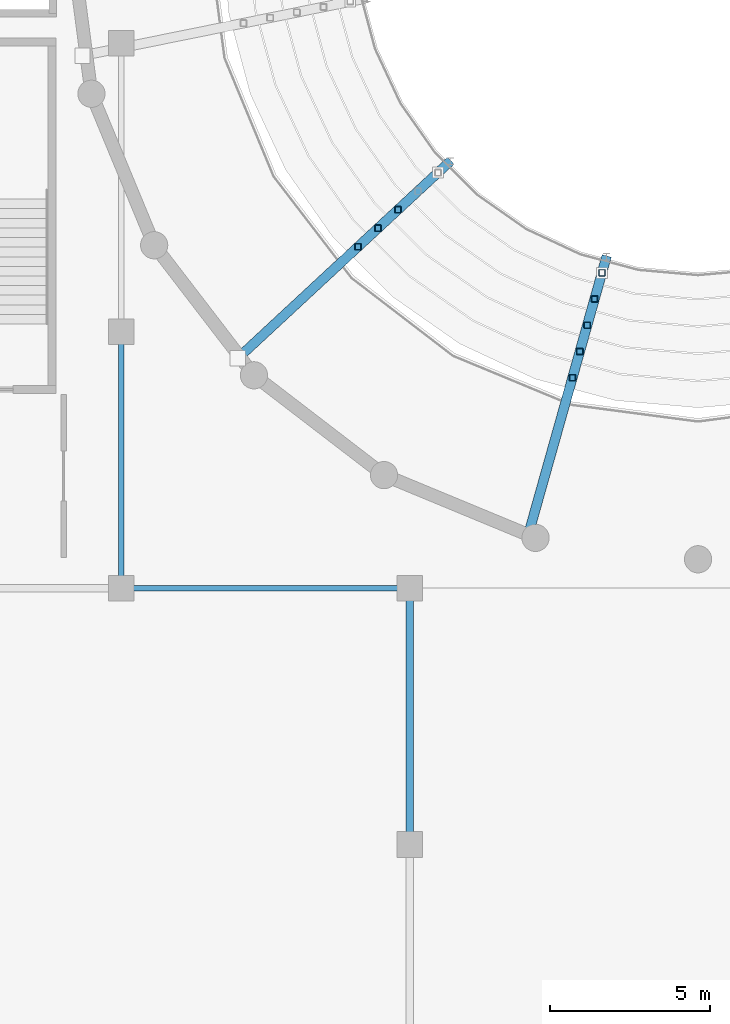
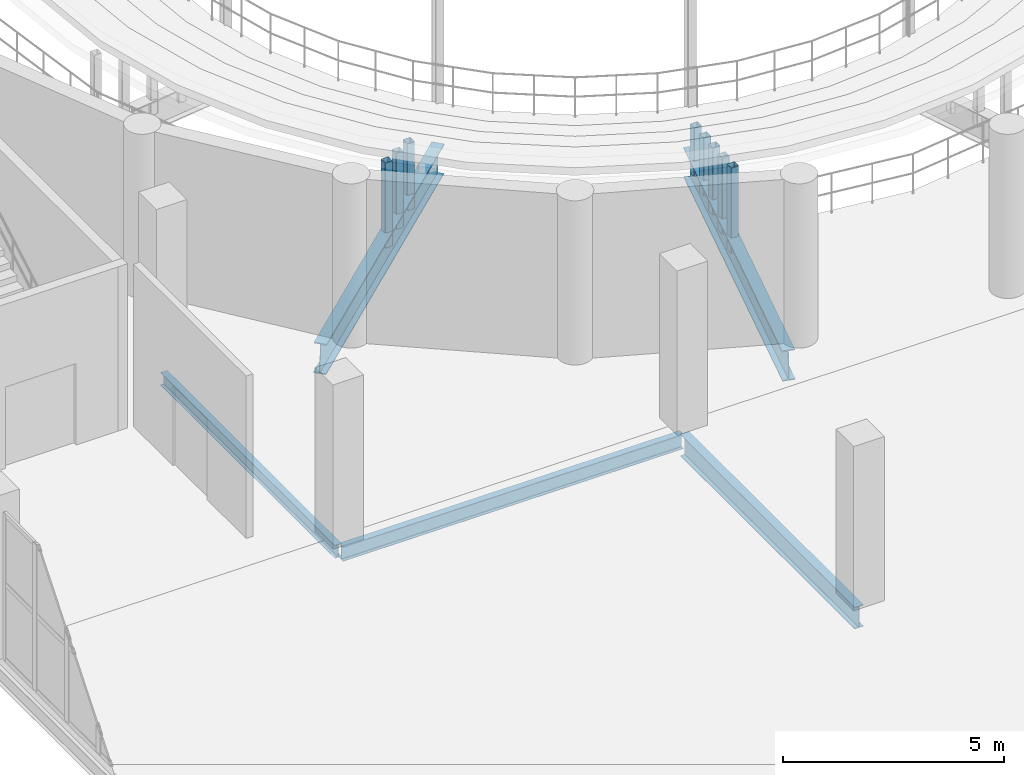
# One storey, part 34 of 93: 8 members, 5 beams.
"""IFC4 building model written with IfcOpenShell, lengths in metres."""

import ifcopenshell
import ifcopenshell.guid

model = None  # the IFC model being written
_history = None  # IfcOwnerHistory: only IFC2X3 demands one
_inside = {}  # id of a spatial element -> (the spatial element, [elements in it])
_under = {}  # id of a project, library or spatial element -> (it, [spatial elements below it])
_declared = {}  # id of a project -> (the project, [libraries it declares])
_typed = {}  # id of a type object -> (the type object, [elements of that type])
_made_of = {}  # id of a material, layer set ... -> (it, [elements and type objects made of it])


def new_model(schema):
    """Start an empty IFC model of exactly this schema.

    Asked for "IFC4X3", IfcOpenShell would pick the latest addendum, in which some entities
    have other attributes; the version numbers below select the first issue.
    IFC2X3 requires an IfcOwnerHistory on every rooted entity: one is made here for all.
    """
    global model, _history
    if schema == "IFC4X3":
        model = ifcopenshell.file(schema_version=(4, 3, 0, 0))
    else:
        model = ifcopenshell.file(schema=schema)
    _inside.clear()
    _under.clear()
    _declared.clear()
    _typed.clear()
    _made_of.clear()
    _history = None
    if model.schema == "IFC2X3":
        org = make("IfcOrganization", Name="unknown")
        user = make(
            "IfcPersonAndOrganization",
            ThePerson=make("IfcPerson", FamilyName="unknown"),
            TheOrganization=org,
        )
        app = make(
            "IfcApplication",
            ApplicationDeveloper=org,
            Version="unknown",
            ApplicationFullName="unknown",
            ApplicationIdentifier="unknown",
        )
        _history = make(
            "IfcOwnerHistory",
            OwningUser=user,
            OwningApplication=app,
            ChangeAction="ADDED",
            CreationDate=0,
        )
    return model


def make(cls, **values):
    """One entity of the class cls with the attributes given. An attribute that is None is left unset."""
    return model.create_entity(
        cls, **{name: value for name, value in values.items() if value is not None}
    )


def rooted(cls, **values):
    """An entity with a GlobalId (a new one), such as an element, a storey or a relation."""
    return make(cls, GlobalId=ifcopenshell.guid.new(), OwnerHistory=_history, **values)


def si_unit(unit_type, name, prefix=None):
    """IfcSIUnit, for example si_unit("LENGTHUNIT", "METRE", prefix="MILLI")."""
    return make("IfcSIUnit", UnitType=unit_type, Prefix=prefix, Name=name)


def assignment(units):
    """IfcUnitAssignment: the units of a project."""
    return None if units is None else make("IfcUnitAssignment", Units=units)


def point(xyz):
    """IfcCartesianPoint."""
    return None if xyz is None else make("IfcCartesianPoint", Coordinates=xyz)


def direction(xyz):
    """IfcDirection."""
    return None if xyz is None else make("IfcDirection", DirectionRatios=xyz)


def frame(location, z_axis=None, x_axis=None):
    """IfcAxis2Placement3D, a coordinate frame: its origin and axes. An axis left out is left unset."""
    return make(
        "IfcAxis2Placement3D",
        Location=point(location),
        Axis=direction(z_axis),
        RefDirection=direction(x_axis),
    )


def frame_2d(location, x_axis=None):
    """IfcAxis2Placement2D, a coordinate frame in the plane: its origin and x axis."""
    return make(
        "IfcAxis2Placement2D", Location=point(location), RefDirection=direction(x_axis)
    )


def origin():
    """The frame at (0, 0, 0) with its axes left unset."""
    return frame((0.0, 0.0, 0.0))


def origin_2d():
    """The frame at (0, 0) in the plane with its x axis left unset."""
    return frame_2d((0.0, 0.0))


def place(relative_to, where):
    """IfcLocalPlacement: puts the frame where relative to a parent placement (None: the world)."""
    return make(
        "IfcLocalPlacement", PlacementRelTo=relative_to, RelativePlacement=where
    )


def context(
    kind, dimensions, precision=None, world=None, true_north=None, identifier=None
):
    """IfcGeometricRepresentationContext, for example the 3D "Model" context."""
    return make(
        "IfcGeometricRepresentationContext",
        ContextIdentifier=identifier,
        ContextType=kind,
        CoordinateSpaceDimension=dimensions,
        Precision=precision,
        WorldCoordinateSystem=world,
        TrueNorth=true_north,
    )


def subcontext(parent, identifier, kind, view, scale=None):
    """IfcGeometricRepresentationSubContext, for example "Body" below "Model"."""
    return make(
        "IfcGeometricRepresentationSubContext",
        ContextIdentifier=identifier,
        ContextType=kind,
        ParentContext=parent,
        TargetScale=scale,
        TargetView=view,
    )


def project(units=None, contexts=None):
    """IfcProject with its units and contexts."""
    return rooted(
        "IfcProject",
        Name="project",
        RepresentationContexts=contexts,
        UnitsInContext=assignment(units),
    )


def spatial(cls, under=None, at=None, **own):
    """A site, building, storey or space (cls), placed at a placement, below another one or the project."""
    s = rooted(cls, ObjectPlacement=at, **own)
    if under is not None:
        _under.setdefault(under.id(), (under, []))[1].append(s)
    return s


def profile(cls, at=None, kind="AREA", **sizes):
    """A parametric profile (cls). Its sizes go by their IFC names, for example OverallWidth=200.0."""
    return make(cls, ProfileType=kind, Position=at, **sizes)


def hollow_rectangle(**sizes):
    """IfcRectangleHollowProfileDef."""
    return profile("IfcRectangleHollowProfileDef", **sizes)


def i_section(**sizes):
    """IfcIShapeProfileDef."""
    return profile("IfcIShapeProfileDef", **sizes)


def extrude(swept, where, along, depth):
    """IfcExtrudedAreaSolid: the profile swept, set in the frame where, extruded along a direction by depth."""
    return make(
        "IfcExtrudedAreaSolid",
        SweptArea=swept,
        Position=where,
        ExtrudedDirection=direction(along),
        Depth=depth,
    )


def shape(context_of_items, identifier, shape_type, items):
    """IfcShapeRepresentation: the items that make up one representation, for example the "Body"."""
    return make(
        "IfcShapeRepresentation",
        ContextOfItems=context_of_items,
        RepresentationIdentifier=identifier,
        RepresentationType=shape_type,
        Items=items,
    )


def material(Name=None, Category=None):
    """IfcMaterial."""
    return make("IfcMaterial", Name=Name, Category=Category)


def material_profile(
    of_material, cross_section, Name=None, Category=None, Priority=None
):
    """IfcMaterialProfile: a cross section and its material."""
    return make(
        "IfcMaterialProfile",
        Name=Name,
        Material=of_material,
        Profile=cross_section,
        Priority=Priority,
        Category=Category,
    )


def profile_set(profiles, Name=None, composite=None):
    """IfcMaterialProfileSet."""
    return make(
        "IfcMaterialProfileSet",
        Name=Name,
        MaterialProfiles=profiles,
        CompositeProfile=composite,
    )


def made_of(thing, what):
    """Note that an element or type object is made of a material, layer set ...; save() writes the relation."""
    if what is not None:
        _made_of.setdefault(what.id(), (what, []))[1].append(thing)
    return thing


def type_object(cls, material=None, **own):
    """A type object (cls), such as IfcWallType, which elements share."""
    return made_of(rooted(cls, **own), material)


def element(
    cls,
    number,
    at=None,
    inside=None,
    cuts=None,
    type_object=None,
    material=None,
    context=None,
    identifier="Body",
    shape_type=None,
    held_by="IfcProductDefinitionShape",
    body=None,
    shapes=None,
    **own,
):
    """One element of the class cls, such as IfcWall. Its Tag is "e" and its number.

    at: its placement. inside: the storey or other place that contains it. cuts: it is an
    opening in that element (IfcRelVoidsElement). A single representation is given by context,
    identifier, shape_type and body (its items); several are given by shapes. held_by: the class
    of the entity that holds the representations. save() writes the other relations.
    """
    e = rooted(cls, Tag="e%d" % number, ObjectPlacement=at, **own)
    if body is not None:
        shapes = [shape(context, identifier, shape_type, body)]
    if shapes is not None:
        e.Representation = make(held_by, Representations=shapes)
    if inside is not None:
        _inside.setdefault(inside.id(), (inside, []))[1].append(e)
    if cuts is not None:
        rooted(
            "IfcRelVoidsElement", RelatingBuildingElement=cuts, RelatedOpeningElement=e
        )
    if type_object is not None:
        _typed.setdefault(type_object.id(), (type_object, []))[1].append(e)
    return made_of(e, material)


def aggregate(whole, parts):
    """IfcRelAggregates: a whole, such as a stair, and the parts it consists of."""
    return rooted("IfcRelAggregates", RelatingObject=whole, RelatedObjects=parts)


def save(model, path):
    """Write the relations noted so far, then the file.

    IfcRelAggregates (storeys below a building ...), IfcRelContainedInSpatialStructure (elements
    in a storey), IfcRelDefinesByType, IfcRelAssociatesMaterial and IfcRelDeclares: one each for
    every whole, place, type object, material and project.
    """
    for whole, parts in _under.values():
        aggregate(whole, parts)
    for where, things in _inside.values():
        rooted(
            "IfcRelContainedInSpatialStructure",
            RelatedElements=things,
            RelatingStructure=where,
        )
    for kind, things in _typed.values():
        rooted("IfcRelDefinesByType", RelatedObjects=things, RelatingType=kind)
    for what, things in _made_of.values():
        rooted("IfcRelAssociatesMaterial", RelatedObjects=things, RelatingMaterial=what)
    for by, libraries in _declared.values():
        rooted("IfcRelDeclares", RelatingContext=by, RelatedDefinitions=libraries)
    model.write(path)


model = new_model("IFC4")

# Units and contexts
model_context = context("Model", 3, precision=1e-05, world=origin(), true_north=direction((0.0, 1.0)))
body_context = subcontext(model_context, "Body", "Model", "MODEL_VIEW")
ifc_project = project(units=[si_unit("LENGTHUNIT", "METRE"), si_unit("AREAUNIT", "SQUARE_METRE"), si_unit("VOLUMEUNIT", "CUBIC_METRE"), si_unit("PLANEANGLEUNIT", "RADIAN"), si_unit("MASSUNIT", "GRAM", prefix="KILO")], contexts=[model_context])

# Site, building, storey
site_placement = place(None, origin())
site = spatial("IfcSite", under=ifc_project, at=site_placement, CompositionType="ELEMENT")
building_placement = place(site_placement, origin())
building = spatial("IfcBuilding", under=site, at=building_placement, Name="Marnock Terrace Opera House", CompositionType="ELEMENT")
storey_placement = place(building_placement, frame((0.0, 0.0, 5.39990234375)))
storey = spatial("IfcBuildingStorey", under=building, at=storey_placement, Name="L01", CompositionType="ELEMENT", Elevation=5.39990234375)

# Beams
ifc_material_1 = material(Name="Steel Grade 350 (AS/NZS 3679.1)", Category="steel")
ifc_material_profile_1 = material_profile(ifc_material_1, i_section(OverallWidth=0.1708984375, OverallDepth=0.355712890625, WebThickness=0.00732421875, FlangeThickness=0.011474609375, FilletRadius=0.011474609375, at=origin_2d()))
ifc_profile_set_1 = profile_set([ifc_material_profile_1], Name="Steel Grade 350 (AS/NZS 3679.1)")
beam_type_1 = type_object("IfcBeamType", Name="BM-GIRD-360", PredefinedType="BEAM", material=ifc_profile_set_1)
beam_1_placement = place(storey_placement, frame((64.0, 40.050048828125, -0.457763671875), z_axis=(0.0, 1.0, 0.0), x_axis=(-1.0, 0.0, 0.0)))
element("IfcBeam", 1, at=beam_1_placement, inside=storey, type_object=beam_type_1, Name="L01 girder (X=64.0, 40.0..48.0)", PredefinedType="BEAM", context=body_context, shape_type="SweptSolid", body=[
    extrude(i_section(OverallWidth=0.1708984375, OverallDepth=0.355712890625, WebThickness=0.00732421875, FlangeThickness=0.011474609375, FilletRadius=0.011474609375, at=origin_2d()), origin(), (0.0, 0.0, 1.0), 7.89990234375),
])
ifc_material_profile_2 = material_profile(ifc_material_1, i_section(OverallWidth=0.177978515625, OverallDepth=0.402587890625, WebThickness=0.007568359375, FlangeThickness=0.010986328125, FilletRadius=0.011474609375, at=origin_2d()))
ifc_profile_set_2 = profile_set([ifc_material_profile_2], Name="Steel Grade 350 (AS/NZS 3679.1)")
beam_type_2 = type_object("IfcBeamType", Name="BM-GIRD-410", PredefinedType="BEAM", material=ifc_profile_set_2)
beam_2_placement = place(storey_placement, frame((64.050048828125, 40.0, -0.481201171875), z_axis=(1.0, 0.0, 0.0), x_axis=(0.0, 1.0, 0.0)))
element("IfcBeam", 2, at=beam_2_placement, inside=storey, type_object=beam_type_2, Name="L01 girder (64.0..73.0, Y=40.0)", PredefinedType="BEAM", context=body_context, shape_type="SweptSolid", body=[
    extrude(i_section(OverallWidth=0.177978515625, OverallDepth=0.402587890625, WebThickness=0.007568359375, FlangeThickness=0.010986328125, FilletRadius=0.011474609375, at=origin_2d()), origin(), (0.0, 0.0, 1.0), 8.89990234375),
])
ifc_material_profile_3 = material_profile(ifc_material_1, i_section(OverallWidth=0.22802734375, OverallDepth=0.60205078125, WebThickness=0.010498046875, FlangeThickness=0.014892578125, FilletRadius=0.013916015625, at=origin_2d()))
ifc_profile_set_3 = profile_set([ifc_material_profile_3], Name="Steel Grade 350 (AS/NZS 3679.1)")
beam_type_3 = type_object("IfcBeamType", Name="BM-GIRD-610C", PredefinedType="BEAM", material=ifc_profile_set_3)
beam_3_placement = place(storey_placement, frame((73.0, 32.050048828125, -0.580810546875), z_axis=(0.0, 1.0, 0.0), x_axis=(-1.0, 0.0, 0.0)))
element("IfcBeam", 3, at=beam_3_placement, inside=storey, type_object=beam_type_3, Name="L01 girder (X=73.0, 32.0..40.0)", PredefinedType="BEAM", context=body_context, shape_type="SweptSolid", body=[
    extrude(i_section(OverallWidth=0.22802734375, OverallDepth=0.60205078125, WebThickness=0.010498046875, FlangeThickness=0.014892578125, FilletRadius=0.013916015625, at=origin_2d()), origin(), (0.0, 0.0, 1.0), 7.89990234375),
])
ifc_material_2 = material(Name="Steel Grade 350 Welded (AS/NZS 3679.2)", Category="steel")
ifc_material_profile_4 = material_profile(ifc_material_2, i_section(OverallWidth=0.300048828125, OverallDepth=0.81591796875, WebThickness=0.013916015625, FlangeThickness=0.028076171875, at=origin_2d()))
ifc_profile_set_4 = profile_set([ifc_material_profile_4], Name="Steel Grade 350 Welded (AS/NZS 3679.2)")
beam_type_4 = type_object("IfcBeamType", Name="BM-RAKER-800", PredefinedType="BEAM", material=ifc_profile_set_4)
beam_4_placement = place(storey_placement, frame((74.266357421875, 53.32421875, -1.23779296875), z_axis=(-0.73190120059, -0.679083865845, 0.056264871128), x_axis=(0.68016132476, -0.733062461391, 0.0)))
element("IfcBeam", 4, at=beam_4_placement, inside=storey, type_object=beam_type_4, Name="L01 Auditorium raker girder 3", PredefinedType="BEAM", context=body_context, shape_type="SweptSolid", body=[
    extrude(i_section(OverallWidth=0.300048828125, OverallDepth=0.81591796875, WebThickness=0.013916015625, FlangeThickness=0.028076171875, at=origin_2d()), origin(), (0.0, 0.0, 1.0), 9.064453125),
])
beam_5_placement = place(storey_placement, frame((79.142578125, 50.34423828125, -1.23779296875), z_axis=(-0.270420407323, -0.961096752439, 0.056265760049), x_axis=(0.962621711454, -0.270849479668, 0.0)))
element("IfcBeam", 5, at=beam_5_placement, inside=storey, type_object=beam_type_4, Name="L01 Auditorium raker girder 4", PredefinedType="BEAM", context=body_context, shape_type="SweptSolid", body=[
    extrude(i_section(OverallWidth=0.300048828125, OverallDepth=0.81591796875, WebThickness=0.013916015625, FlangeThickness=0.028076171875, at=origin_2d()), origin(), (0.0, 0.0, 1.0), 9.064208984375),
])

# Members
ifc_material_3 = material(Name="Cold-formed Steel Grade C350L0 (AS/NZS 1163)", Category="steel")
ifc_material_profile_5 = material_profile(ifc_material_3, hollow_rectangle(XDim=0.199951171875, YDim=0.199951171875, WallThickness=0.009033203125, InnerFilletRadius=0.009033203125, OuterFilletRadius=0.01806640625, at=origin_2d()))
ifc_profile_set_5 = profile_set([ifc_material_profile_5], Name="Cold-formed Steel Grade C350L0 (AS/NZS 1163)")
member_type = type_object("IfcMemberType", Name="MEM-TRUSS-WEB2", PredefinedType="BRACE", material=ifc_profile_set_5)
member_1_placement = place(storey_placement, frame((72.63525390625, 51.810791015625, -1.112548828125), z_axis=(0.0, 0.0, 1.0), x_axis=(1.0, 0.0, 0.0)))
element("IfcMember", 6, at=member_1_placement, inside=storey, type_object=member_type, Name="L01 Auditorium tier support post 3.3", PredefinedType="BRACE", context=body_context, shape_type="SweptSolid", body=[
    extrude(hollow_rectangle(XDim=0.199951171875, YDim=0.199951171875, WallThickness=0.009033203125, InnerFilletRadius=0.009033203125, OuterFilletRadius=0.01806640625, at=origin_2d()), origin(), (0.0, 0.0, 1.0), 1.84765625),
])
member_2_placement = place(storey_placement, frame((72.01220703125, 51.232666015625, -1.064697265625), z_axis=(0.0, 0.0, 1.0), x_axis=(1.0, 0.0, 0.0)))
element("IfcMember", 7, at=member_2_placement, inside=storey, type_object=member_type, Name="L01 Auditorium tier support post 3.4", PredefinedType="BRACE", context=body_context, shape_type="SweptSolid", body=[
    extrude(hollow_rectangle(XDim=0.199951171875, YDim=0.199951171875, WallThickness=0.009033203125, InnerFilletRadius=0.009033203125, OuterFilletRadius=0.01806640625, at=origin_2d()), origin(), (0.0, 0.0, 1.0), 2.099853515625),
])
member_3_placement = place(storey_placement, frame((71.38916015625, 50.654541015625, -1.0166015625), z_axis=(0.0, 0.0, 1.0), x_axis=(1.0, 0.0, 0.0)))
element("IfcMember", 8, at=member_3_placement, inside=storey, type_object=member_type, Name="L01 Auditorium tier support post 3.5", PredefinedType="BRACE", context=body_context, shape_type="SweptSolid", body=[
    extrude(hollow_rectangle(XDim=0.199951171875, YDim=0.199951171875, WallThickness=0.009033203125, InnerFilletRadius=0.009033203125, OuterFilletRadius=0.01806640625, at=origin_2d()), origin(), (0.0, 0.0, 1.0), 2.351806640625),
])
member_4_placement = place(storey_placement, frame((79.00048828125, 49.8388671875, -1.208251953125), z_axis=(0.0, 0.0, 1.0), x_axis=(1.0, 0.0, 0.0)))
element("IfcMember", 9, at=member_4_placement, inside=storey, type_object=member_type, Name="L01 Auditorium tier support post 4.1", PredefinedType="BRACE", context=body_context, shape_type="SweptSolid", body=[
    extrude(hollow_rectangle(XDim=0.199951171875, YDim=0.199951171875, WallThickness=0.009033203125, InnerFilletRadius=0.009033203125, OuterFilletRadius=0.01806640625, at=origin_2d()), origin(), (0.0, 0.0, 1.0), 1.34326171875),
])
member_5_placement = place(storey_placement, frame((78.770263671875, 49.020751953125, -1.160400390625), z_axis=(0.0, 0.0, 1.0), x_axis=(1.0, 0.0, 0.0)))
element("IfcMember", 10, at=member_5_placement, inside=storey, type_object=member_type, Name="L01 Auditorium tier support post 4.2", PredefinedType="BRACE", context=body_context, shape_type="SweptSolid", body=[
    extrude(hollow_rectangle(XDim=0.199951171875, YDim=0.199951171875, WallThickness=0.009033203125, InnerFilletRadius=0.009033203125, OuterFilletRadius=0.01806640625, at=origin_2d()), origin(), (0.0, 0.0, 1.0), 1.595458984375),
])
member_6_placement = place(storey_placement, frame((78.5400390625, 48.202392578125, -1.112548828125), z_axis=(0.0, 0.0, 1.0), x_axis=(1.0, 0.0, 0.0)))
element("IfcMember", 11, at=member_6_placement, inside=storey, type_object=member_type, Name="L01 Auditorium tier support post 4.3", PredefinedType="BRACE", context=body_context, shape_type="SweptSolid", body=[
    extrude(hollow_rectangle(XDim=0.199951171875, YDim=0.199951171875, WallThickness=0.009033203125, InnerFilletRadius=0.009033203125, OuterFilletRadius=0.01806640625, at=origin_2d()), origin(), (0.0, 0.0, 1.0), 1.84765625),
])
member_7_placement = place(storey_placement, frame((78.309814453125, 47.38427734375, -1.064697265625), z_axis=(0.0, 0.0, 1.0), x_axis=(1.0, 0.0, 0.0)))
element("IfcMember", 12, at=member_7_placement, inside=storey, type_object=member_type, Name="L01 Auditorium tier support post 4.4", PredefinedType="BRACE", context=body_context, shape_type="SweptSolid", body=[
    extrude(hollow_rectangle(XDim=0.199951171875, YDim=0.199951171875, WallThickness=0.009033203125, InnerFilletRadius=0.009033203125, OuterFilletRadius=0.01806640625, at=origin_2d()), origin(), (0.0, 0.0, 1.0), 2.099853515625),
])
member_8_placement = place(storey_placement, frame((78.07958984375, 46.56591796875, -1.0166015625), z_axis=(0.0, 0.0, 1.0), x_axis=(1.0, 0.0, 0.0)))
element("IfcMember", 13, at=member_8_placement, inside=storey, type_object=member_type, Name="L01 Auditorium tier support post 4.5", PredefinedType="BRACE", context=body_context, shape_type="SweptSolid", body=[
    extrude(hollow_rectangle(XDim=0.199951171875, YDim=0.199951171875, WallThickness=0.009033203125, InnerFilletRadius=0.009033203125, OuterFilletRadius=0.01806640625, at=origin_2d()), origin(), (0.0, 0.0, 1.0), 2.351806640625),
])

save(model, "model.ifc")
